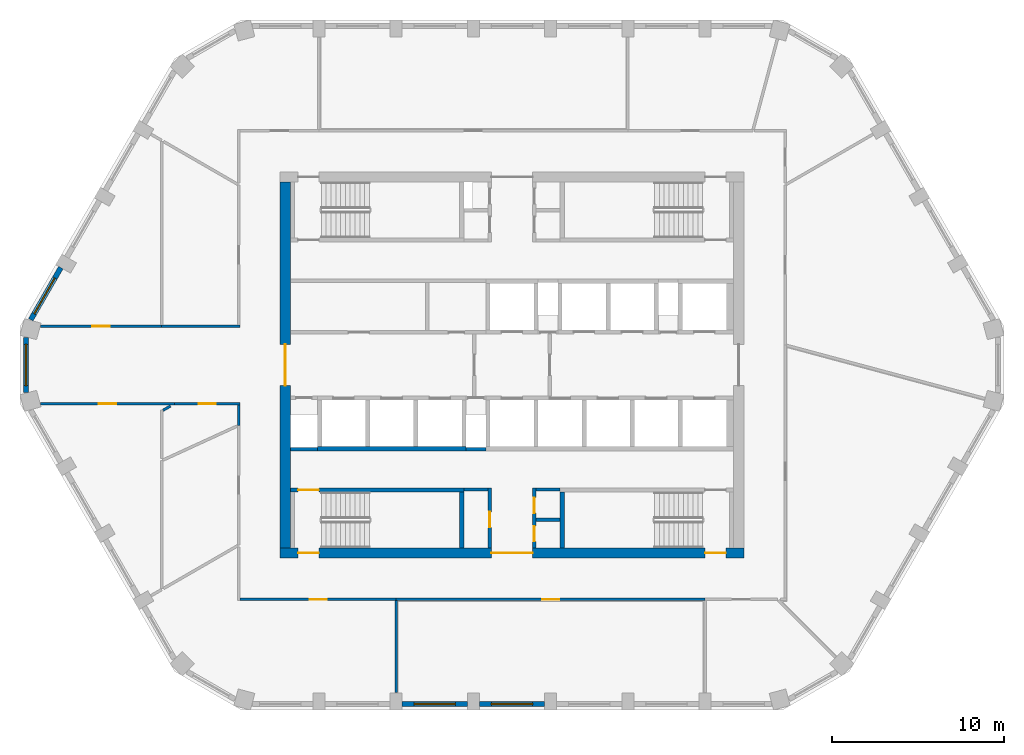
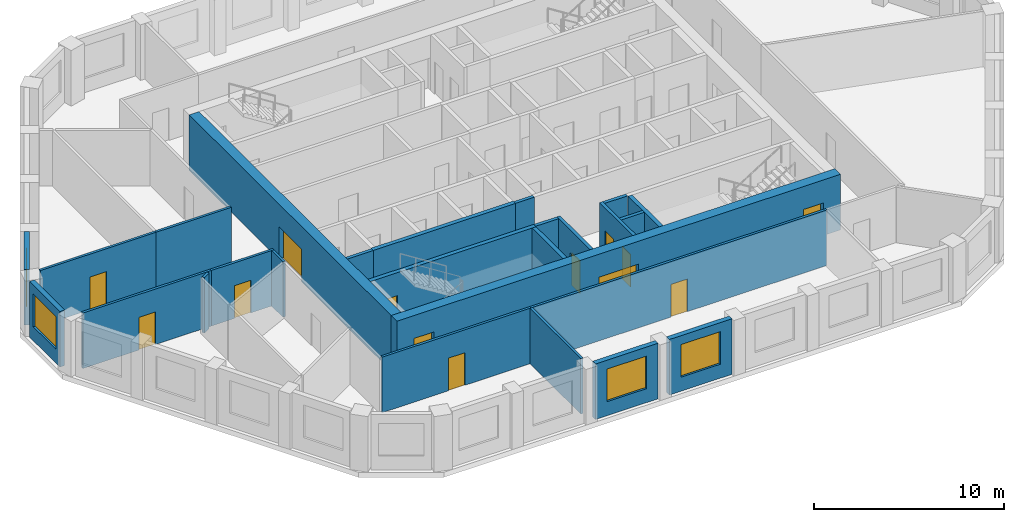
# One storey, part 2 of 10: 26 walls, 13 doors, 4 windows, 17 openings.
"""IFC4 building model written with IfcOpenShell, lengths in metres."""

import ifcopenshell
import ifcopenshell.guid

model = None  # the IFC model being written
_history = None  # IfcOwnerHistory: only IFC2X3 demands one
_inside = {}  # id of a spatial element -> (the spatial element, [elements in it])
_under = {}  # id of a project, library or spatial element -> (it, [spatial elements below it])
_declared = {}  # id of a project -> (the project, [libraries it declares])
_typed = {}  # id of a type object -> (the type object, [elements of that type])
_made_of = {}  # id of a material, layer set ... -> (it, [elements and type objects made of it])


def new_model(schema):
    """Start an empty IFC model of exactly this schema.

    Asked for "IFC4X3", IfcOpenShell would pick the latest addendum, in which some entities
    have other attributes; the version numbers below select the first issue.
    IFC2X3 requires an IfcOwnerHistory on every rooted entity: one is made here for all.
    """
    global model, _history
    if schema == "IFC4X3":
        model = ifcopenshell.file(schema_version=(4, 3, 0, 0))
    else:
        model = ifcopenshell.file(schema=schema)
    _inside.clear()
    _under.clear()
    _declared.clear()
    _typed.clear()
    _made_of.clear()
    _history = None
    if model.schema == "IFC2X3":
        org = make("IfcOrganization", Name="unknown")
        user = make(
            "IfcPersonAndOrganization",
            ThePerson=make("IfcPerson", FamilyName="unknown"),
            TheOrganization=org,
        )
        app = make(
            "IfcApplication",
            ApplicationDeveloper=org,
            Version="unknown",
            ApplicationFullName="unknown",
            ApplicationIdentifier="unknown",
        )
        _history = make(
            "IfcOwnerHistory",
            OwningUser=user,
            OwningApplication=app,
            ChangeAction="ADDED",
            CreationDate=0,
        )
    return model


def make(cls, **values):
    """One entity of the class cls with the attributes given. An attribute that is None is left unset."""
    return model.create_entity(
        cls, **{name: value for name, value in values.items() if value is not None}
    )


def rooted(cls, **values):
    """An entity with a GlobalId (a new one), such as an element, a storey or a relation."""
    return make(cls, GlobalId=ifcopenshell.guid.new(), OwnerHistory=_history, **values)


def si_unit(unit_type, name, prefix=None):
    """IfcSIUnit, for example si_unit("LENGTHUNIT", "METRE", prefix="MILLI")."""
    return make("IfcSIUnit", UnitType=unit_type, Prefix=prefix, Name=name)


def assignment(units):
    """IfcUnitAssignment: the units of a project."""
    return None if units is None else make("IfcUnitAssignment", Units=units)


def point(xyz):
    """IfcCartesianPoint."""
    return None if xyz is None else make("IfcCartesianPoint", Coordinates=xyz)


def direction(xyz):
    """IfcDirection."""
    return None if xyz is None else make("IfcDirection", DirectionRatios=xyz)


def frame(location, z_axis=None, x_axis=None):
    """IfcAxis2Placement3D, a coordinate frame: its origin and axes. An axis left out is left unset."""
    return make(
        "IfcAxis2Placement3D",
        Location=point(location),
        Axis=direction(z_axis),
        RefDirection=direction(x_axis),
    )


def frame_2d(location, x_axis=None):
    """IfcAxis2Placement2D, a coordinate frame in the plane: its origin and x axis."""
    return make(
        "IfcAxis2Placement2D", Location=point(location), RefDirection=direction(x_axis)
    )


def origin():
    """The frame at (0, 0, 0) with its axes left unset."""
    return frame((0.0, 0.0, 0.0))


def place(relative_to, where):
    """IfcLocalPlacement: puts the frame where relative to a parent placement (None: the world)."""
    return make(
        "IfcLocalPlacement", PlacementRelTo=relative_to, RelativePlacement=where
    )


def context(
    kind, dimensions, precision=None, world=None, true_north=None, identifier=None
):
    """IfcGeometricRepresentationContext, for example the 3D "Model" context."""
    return make(
        "IfcGeometricRepresentationContext",
        ContextIdentifier=identifier,
        ContextType=kind,
        CoordinateSpaceDimension=dimensions,
        Precision=precision,
        WorldCoordinateSystem=world,
        TrueNorth=true_north,
    )


def subcontext(parent, identifier, kind, view, scale=None):
    """IfcGeometricRepresentationSubContext, for example "Body" below "Model"."""
    return make(
        "IfcGeometricRepresentationSubContext",
        ContextIdentifier=identifier,
        ContextType=kind,
        ParentContext=parent,
        TargetScale=scale,
        TargetView=view,
    )


def project(units=None, contexts=None):
    """IfcProject with its units and contexts."""
    return rooted(
        "IfcProject",
        Name="project",
        RepresentationContexts=contexts,
        UnitsInContext=assignment(units),
    )


def spatial(cls, under=None, at=None, **own):
    """A site, building, storey or space (cls), placed at a placement, below another one or the project."""
    s = rooted(cls, ObjectPlacement=at, **own)
    if under is not None:
        _under.setdefault(under.id(), (under, []))[1].append(s)
    return s


def polyline(points):
    """IfcPolyline through the points."""
    return make("IfcPolyline", Points=[point(p) for p in points])


def profile(cls, at=None, kind="AREA", **sizes):
    """A parametric profile (cls). Its sizes go by their IFC names, for example OverallWidth=200.0."""
    return make(cls, ProfileType=kind, Position=at, **sizes)


def rectangle(**sizes):
    """IfcRectangleProfileDef."""
    return profile("IfcRectangleProfileDef", **sizes)


def outline(outer, holes=None, kind="AREA"):
    """IfcArbitraryClosedProfileDef: a profile drawn as a closed curve; with holes, ...WithVoids."""
    if holes is None:
        return make("IfcArbitraryClosedProfileDef", ProfileType=kind, OuterCurve=outer)
    return make(
        "IfcArbitraryProfileDefWithVoids",
        ProfileType=kind,
        OuterCurve=outer,
        InnerCurves=holes,
    )


def extrude(swept, where, along, depth):
    """IfcExtrudedAreaSolid: the profile swept, set in the frame where, extruded along a direction by depth."""
    return make(
        "IfcExtrudedAreaSolid",
        SweptArea=swept,
        Position=where,
        ExtrudedDirection=direction(along),
        Depth=depth,
    )


def shape(context_of_items, identifier, shape_type, items):
    """IfcShapeRepresentation: the items that make up one representation, for example the "Body"."""
    return make(
        "IfcShapeRepresentation",
        ContextOfItems=context_of_items,
        RepresentationIdentifier=identifier,
        RepresentationType=shape_type,
        Items=items,
    )


def material(Name=None, Category=None):
    """IfcMaterial."""
    return make("IfcMaterial", Name=Name, Category=Category)


def layer(
    of_material, thickness, ventilated=None, Name=None, Category=None, Priority=None
):
    """IfcMaterialLayer: one layer of a wall or slab, of a material (None: an air gap)."""
    return make(
        "IfcMaterialLayer",
        Material=of_material,
        LayerThickness=thickness,
        IsVentilated=ventilated,
        Name=Name,
        Category=Category,
        Priority=Priority,
    )


def layer_set(layers, Name=None):
    """IfcMaterialLayerSet."""
    return make("IfcMaterialLayerSet", MaterialLayers=layers, LayerSetName=Name)


def made_of(thing, what):
    """Note that an element or type object is made of a material, layer set ...; save() writes the relation."""
    if what is not None:
        _made_of.setdefault(what.id(), (what, []))[1].append(thing)
    return thing


def type_object(cls, material=None, **own):
    """A type object (cls), such as IfcWallType, which elements share."""
    return made_of(rooted(cls, **own), material)


def element(
    cls,
    number,
    at=None,
    inside=None,
    cuts=None,
    type_object=None,
    material=None,
    context=None,
    identifier="Body",
    shape_type=None,
    held_by="IfcProductDefinitionShape",
    body=None,
    shapes=None,
    **own,
):
    """One element of the class cls, such as IfcWall. Its Tag is "e" and its number.

    at: its placement. inside: the storey or other place that contains it. cuts: it is an
    opening in that element (IfcRelVoidsElement). A single representation is given by context,
    identifier, shape_type and body (its items); several are given by shapes. held_by: the class
    of the entity that holds the representations. save() writes the other relations.
    """
    e = rooted(cls, Tag="e%d" % number, ObjectPlacement=at, **own)
    if body is not None:
        shapes = [shape(context, identifier, shape_type, body)]
    if shapes is not None:
        e.Representation = make(held_by, Representations=shapes)
    if inside is not None:
        _inside.setdefault(inside.id(), (inside, []))[1].append(e)
    if cuts is not None:
        rooted(
            "IfcRelVoidsElement", RelatingBuildingElement=cuts, RelatedOpeningElement=e
        )
    if type_object is not None:
        _typed.setdefault(type_object.id(), (type_object, []))[1].append(e)
    return made_of(e, material)


def fill(opening, filler):
    """IfcRelFillsElement: the door or window that sits in an opening."""
    return rooted(
        "IfcRelFillsElement",
        RelatingOpeningElement=opening,
        RelatedBuildingElement=filler,
    )


def aggregate(whole, parts):
    """IfcRelAggregates: a whole, such as a stair, and the parts it consists of."""
    return rooted("IfcRelAggregates", RelatingObject=whole, RelatedObjects=parts)


def save(model, path):
    """Write the relations noted so far, then the file.

    IfcRelAggregates (storeys below a building ...), IfcRelContainedInSpatialStructure (elements
    in a storey), IfcRelDefinesByType, IfcRelAssociatesMaterial and IfcRelDeclares: one each for
    every whole, place, type object, material and project.
    """
    for whole, parts in _under.values():
        aggregate(whole, parts)
    for where, things in _inside.values():
        rooted(
            "IfcRelContainedInSpatialStructure",
            RelatedElements=things,
            RelatingStructure=where,
        )
    for kind, things in _typed.values():
        rooted("IfcRelDefinesByType", RelatedObjects=things, RelatingType=kind)
    for what, things in _made_of.values():
        rooted("IfcRelAssociatesMaterial", RelatedObjects=things, RelatingMaterial=what)
    for by, libraries in _declared.values():
        rooted("IfcRelDeclares", RelatingContext=by, RelatedDefinitions=libraries)
    model.write(path)


model = new_model("IFC4")

# Units and contexts
model_context = context("Model", 3, precision=1e-05, world=origin(), true_north=direction((0.0, 1.0)))
body_context = subcontext(model_context, "Body", "Model", "MODEL_VIEW")
ifc_project = project(units=[si_unit("LENGTHUNIT", "METRE"), si_unit("AREAUNIT", "SQUARE_METRE"), si_unit("VOLUMEUNIT", "CUBIC_METRE"), si_unit("PLANEANGLEUNIT", "RADIAN"), si_unit("MASSUNIT", "GRAM", prefix="KILO")], contexts=[model_context])

# Site, building, storey
site_placement = place(None, origin())
site = spatial("IfcSite", under=ifc_project, at=site_placement, CompositionType="ELEMENT")
building_placement = place(site_placement, origin())
building = spatial("IfcBuilding", under=site, at=building_placement, Name="Dhurran Vertical Campus", CompositionType="ELEMENT")
storey_placement = place(building_placement, frame((0.0, 0.0, 239.10009765625)))
storey = spatial("IfcBuildingStorey", under=building, at=storey_placement, Name="L59", CompositionType="ELEMENT", Elevation=239.10009765625)

# Wall, opening, window
ifc_material_1 = material(Name="Precast concrete C50/60", Category="concrete")
ifc_layer_1 = layer(ifc_material_1, 0.300048828125)
ifc_layer_set_1 = layer_set([ifc_layer_1], Name="Precast concrete C50/60")
wall_type_1 = type_object("IfcWallType", Name="Precast spandrel wall 300", PredefinedType="SOLIDWALL", material=ifc_layer_set_1)
wall_1_placement = place(storey_placement, frame((-6.3994140625, -19.738525390625, 0.0), z_axis=(0.0, 0.0, 1.0), x_axis=(1.0, 0.0, 0.0)))
wall_1 = element("IfcWall", 1, at=wall_1_placement, inside=storey, type_object=wall_type_1, Name="EW1 L59.02", PredefinedType="SOLIDWALL", context=body_context, shape_type="SweptSolid", body=[
    extrude(rectangle(XDim=3.798828125, YDim=0.300048828125, at=frame_2d((1.8994140625, 0.0))), origin(), (0.0, 0.0, 1.0), 3.574951171875),
])
opening_1_placement = place(wall_1_placement, frame((0.699462890625, 0.0, 0.89990234375)))
opening_1 = element("IfcOpeningElement", 2, at=opening_1_placement, cuts=wall_1, Name="Opening WT1", PredefinedType="OPENING", context=body_context, shape_type="SweptSolid", body=[
    extrude(rectangle(XDim=2.39990234375, YDim=2.10009765625, at=frame_2d((1.199951171875, 1.050048828125))), frame((0.0, 0.159912109375, 0.0), z_axis=(0.0, -1.0, 0.0), x_axis=(1.0, 0.0, 0.0)), (0.0, 0.0, 1.0), 0.320068359375),
])
ifc_material_2 = material(Name="Aluminium frame with solar-control glass", Category="aluminium")
window_type = type_object("IfcWindowType", Name="Punched window 2400 x 2100", PartitioningType="SINGLE_PANEL", PredefinedType="WINDOW", material=ifc_material_2)
window_1_placement = place(opening_1_placement, origin())
window_1 = element("IfcWindow", 3, at=window_1_placement, inside=storey, type_object=window_type, Name="WT1 L59.02", OverallHeight=2.10009765625, OverallWidth=2.39990234375, PartitioningType="SINGLE_PANEL", PredefinedType="WINDOW", context=body_context, shape_type="SweptSolid", body=[
    extrude(rectangle(XDim=2.39990234375, YDim=2.10009765625, at=frame_2d((1.199951171875, 1.050048828125))), frame((0.0, 0.030029296875, 0.0), z_axis=(0.0, -1.0, 0.0), x_axis=(1.0, 0.0, 0.0)), (0.0, 0.0, 1.0), 0.06005859375),
])
fill(opening_1, window_1)

wall_2_placement = place(storey_placement, frame((-1.8994140625, -19.738525390625, 0.0), z_axis=(0.0, 0.0, 1.0), x_axis=(1.0, 0.0, 0.0)))
wall_2 = element("IfcWall", 4, at=wall_2_placement, inside=storey, type_object=wall_type_1, Name="EW1 L59.03", PredefinedType="SOLIDWALL", context=body_context, shape_type="SweptSolid", body=[
    extrude(rectangle(XDim=3.798828125, YDim=0.300048828125, at=frame_2d((1.8994140625, 0.0))), origin(), (0.0, 0.0, 1.0), 3.574951171875),
])
opening_2_placement = place(wall_2_placement, frame((0.699462890625, 0.0, 0.89990234375)))
opening_2 = element("IfcOpeningElement", 5, at=opening_2_placement, cuts=wall_2, Name="Opening WT1", PredefinedType="OPENING", context=body_context, shape_type="SweptSolid", body=[
    extrude(rectangle(XDim=2.39990234375, YDim=2.10009765625, at=frame_2d((1.199951171875, 1.050048828125))), frame((0.0, 0.159912109375, 0.0), z_axis=(0.0, -1.0, 0.0), x_axis=(1.0, 0.0, 0.0)), (0.0, 0.0, 1.0), 0.320068359375),
])
window_2_placement = place(opening_2_placement, origin())
window_2 = element("IfcWindow", 6, at=window_2_placement, inside=storey, type_object=window_type, Name="WT1 L59.03", OverallHeight=2.10009765625, OverallWidth=2.39990234375, PartitioningType="SINGLE_PANEL", PredefinedType="WINDOW", context=body_context, shape_type="SweptSolid", body=[
    extrude(rectangle(XDim=2.39990234375, YDim=2.10009765625, at=frame_2d((1.199951171875, 1.050048828125))), frame((0.0, 0.030029296875, 0.0), z_axis=(0.0, -1.0, 0.0), x_axis=(1.0, 0.0, 0.0)), (0.0, 0.0, 1.0), 0.06005859375),
])
fill(opening_2, window_2)

wall_3_placement = place(storey_placement, frame((-26.269287109375, 5.668701171875, 0.0), z_axis=(0.0, 0.0, 1.0), x_axis=(-0.499990325971, -0.866030989016, 0.0)))
wall_3 = element("IfcWall", 7, at=wall_3_placement, inside=storey, type_object=wall_type_1, Name="EW1 L59.29", PredefinedType="SOLIDWALL", context=body_context, shape_type="SweptSolid", body=[
    extrude(rectangle(XDim=3.49755859375, YDim=0.300048828125, at=frame_2d((1.748779296875, 0.0))), origin(), (0.0, 0.0, 1.0), 3.574951171875),
])
opening_3_placement = place(wall_3_placement, frame((0.699462890625, 0.0, 0.89990234375)))
opening_3 = element("IfcOpeningElement", 8, at=opening_3_placement, cuts=wall_3, Name="Opening WT1", PredefinedType="OPENING", context=body_context, shape_type="SweptSolid", body=[
    extrude(rectangle(XDim=2.39990234375, YDim=2.10009765625, at=frame_2d((1.199951171875, 1.050048828125))), frame((0.0, 0.159912109375, 0.0), z_axis=(0.0, -1.0, 0.0), x_axis=(1.0, 0.0, 0.0)), (0.0, 0.0, 1.0), 0.320068359375),
])
window_3_placement = place(opening_3_placement, origin())
window_3 = element("IfcWindow", 9, at=window_3_placement, inside=storey, type_object=window_type, Name="WT1 L59.29", OverallHeight=2.10009765625, OverallWidth=2.39990234375, PartitioningType="SINGLE_PANEL", PredefinedType="WINDOW", context=body_context, shape_type="SweptSolid", body=[
    extrude(rectangle(XDim=2.39990234375, YDim=2.10009765625, at=frame_2d((1.199951171875, 1.050048828125))), frame((0.0, 0.030029296875, 0.0), z_axis=(0.0, -1.0, 0.0), x_axis=(1.0, 0.0, 0.0)), (0.0, 0.0, 1.0), 0.06005859375),
])
fill(opening_3, window_3)

wall_4_placement = place(storey_placement, frame((-28.297119140625, 1.59814453125, 0.0), z_axis=(0.0, 0.0, 1.0), x_axis=(0.0, -1.0, 0.0)))
wall_4 = element("IfcWall", 10, at=wall_4_placement, inside=storey, type_object=wall_type_1, Name="EW1 L59.30", PredefinedType="SOLIDWALL", context=body_context, shape_type="SweptSolid", body=[
    extrude(rectangle(XDim=3.1962890625, YDim=0.300048828125, at=frame_2d((1.59814453125, 0.0))), origin(), (0.0, 0.0, 1.0), 3.574951171875),
])
opening_4_placement = place(wall_4_placement, frame((0.398193359375, 0.0, 0.89990234375)))
opening_4 = element("IfcOpeningElement", 11, at=opening_4_placement, cuts=wall_4, Name="Opening WT1", PredefinedType="OPENING", context=body_context, shape_type="SweptSolid", body=[
    extrude(rectangle(XDim=2.39990234375, YDim=2.10009765625, at=frame_2d((1.199951171875, 1.050048828125))), frame((0.0, 0.159912109375, 0.0), z_axis=(0.0, -1.0, 0.0), x_axis=(1.0, 0.0, 0.0)), (0.0, 0.0, 1.0), 0.320068359375),
])
window_4_placement = place(opening_4_placement, origin())
window_4 = element("IfcWindow", 12, at=window_4_placement, inside=storey, type_object=window_type, Name="WT1 L59.30", OverallHeight=2.10009765625, OverallWidth=2.39990234375, PartitioningType="SINGLE_PANEL", PredefinedType="WINDOW", context=body_context, shape_type="SweptSolid", body=[
    extrude(rectangle(XDim=2.39990234375, YDim=2.10009765625, at=frame_2d((1.199951171875, 1.050048828125))), frame((0.0, 0.030029296875, 0.0), z_axis=(0.0, -1.0, 0.0), x_axis=(1.0, 0.0, 0.0)), (0.0, 0.0, 1.0), 0.06005859375),
])
fill(opening_4, window_4)

# Wall, openings, doors
ifc_material_3 = material(Name="Concrete C50/60", Category="concrete")
ifc_layer_2 = layer(ifc_material_3, 0.60009765625)
ifc_layer_set_2 = layer_set([ifc_layer_2], Name="Concrete C50/60")
wall_type_2 = type_object("IfcWallType", Name="co-CORE-WALL-C2-600", PredefinedType="SHEAR", material=ifc_layer_set_2)
wall_5_placement = place(storey_placement, frame((-13.5, -10.949951171875, 0.0), z_axis=(0.0, 0.0, 1.0), x_axis=(1.0, 0.0, 0.0)))
wall_5 = element("IfcWall", 13, at=wall_5_placement, inside=storey, type_object=wall_type_2, Name="Core wall S L59", PredefinedType="SHEAR", context=body_context, shape_type="SweptSolid", body=[
    extrude(rectangle(XDim=27.0, YDim=0.60009765625, at=frame_2d((13.5, 0.0))), origin(), (0.0, 0.0, 1.0), 3.574951171875),
])
opening_5_placement = place(wall_5_placement, frame((12.300048828125, 0.0, 0.0)))
opening_5 = element("IfcOpeningElement", 14, at=opening_5_placement, cuts=wall_5, Name="Opening CV2", PredefinedType="OPENING", context=body_context, shape_type="SweptSolid", body=[
    extrude(rectangle(XDim=2.39990234375, YDim=2.10009765625, at=frame_2d((1.199951171875, 1.050048828125))), frame((0.0, 0.31005859375, 0.0), z_axis=(0.0, -1.0, 0.0), x_axis=(1.0, 0.0, 0.0)), (0.0, 0.0, 1.0), 0.6201171875),
])
opening_6_placement = place(wall_5_placement, frame((1.050048828125, 0.0, 0.0)))
opening_6 = element("IfcOpeningElement", 15, at=opening_6_placement, cuts=wall_5, Name="Opening XD3", PredefinedType="OPENING", context=body_context, shape_type="SweptSolid", body=[
    extrude(rectangle(XDim=1.199951171875, YDim=2.10009765625, at=frame_2d((0.60009765625, 1.050048828125))), frame((0.0, 0.31005859375, 0.0), z_axis=(0.0, -1.0, 0.0), x_axis=(1.0, 0.0, 0.0)), (0.0, 0.0, 1.0), 0.6201171875),
])
opening_7_placement = place(wall_5_placement, frame((24.75, 0.0, 0.0)))
opening_7 = element("IfcOpeningElement", 16, at=opening_7_placement, cuts=wall_5, Name="Opening XD4", PredefinedType="OPENING", context=body_context, shape_type="SweptSolid", body=[
    extrude(rectangle(XDim=1.199951171875, YDim=2.10009765625, at=frame_2d((0.60009765625, 1.050048828125))), frame((0.0, 0.31005859375, 0.0), z_axis=(0.0, -1.0, 0.0), x_axis=(1.0, 0.0, 0.0)), (0.0, 0.0, 1.0), 0.6201171875),
])
ifc_material_4 = material(Name="Fire-rated glazed door set")
door_type_1 = type_object("IfcDoorType", Name="co-D-LOBBY 2400x2100", OperationType="DOUBLE_DOOR_DOUBLE_SWING", PredefinedType="DOOR", material=ifc_material_4)
door_1_placement = place(opening_5_placement, origin())
door_1 = element("IfcDoor", 17, at=door_1_placement, inside=storey, type_object=door_type_1, Name="Core vestibule door S L59", OperationType="DOUBLE_DOOR_DOUBLE_SWING", OverallHeight=2.10009765625, OverallWidth=2.39990234375, PredefinedType="DOOR", context=body_context, shape_type="SweptSolid", body=[
    extrude(rectangle(XDim=2.39990234375, YDim=2.10009765625, at=frame_2d((1.199951171875, 1.050048828125))), frame((0.0, 0.02490234375, 0.0), z_axis=(0.0, -1.0, 0.0), x_axis=(1.0, 0.0, 0.0)), (0.0, 0.0, 1.0), 0.050048828125),
])
fill(opening_5, door_1)
ifc_material_5 = material(Name="Fire-rated steel door set", Category="steel")
door_type_2 = type_object("IfcDoorType", Name="co-D-STAIR-EXIT 1200x2100", OperationType="SINGLE_SWING_RIGHT", PredefinedType="DOOR", material=ifc_material_5)
door_2_placement = place(opening_6_placement, origin())
door_2 = element("IfcDoor", 18, at=door_2_placement, inside=storey, type_object=door_type_2, Name="Stair ST3 exit door L59", OperationType="SINGLE_SWING_RIGHT", OverallHeight=2.10009765625, OverallWidth=1.199951171875, PredefinedType="DOOR", context=body_context, shape_type="SweptSolid", body=[
    extrude(rectangle(XDim=1.199951171875, YDim=2.10009765625, at=frame_2d((0.60009765625, 1.050048828125))), frame((0.0, 0.02490234375, 0.0), z_axis=(0.0, -1.0, 0.0), x_axis=(1.0, 0.0, 0.0)), (0.0, 0.0, 1.0), 0.050048828125),
])
fill(opening_6, door_2)
door_3_placement = place(opening_7_placement, origin())
door_3 = element("IfcDoor", 19, at=door_3_placement, inside=storey, type_object=door_type_2, Name="Stair ST4 exit door L59", OperationType="SINGLE_SWING_RIGHT", OverallHeight=2.10009765625, OverallWidth=1.199951171875, PredefinedType="DOOR", context=body_context, shape_type="SweptSolid", body=[
    extrude(rectangle(XDim=1.199951171875, YDim=2.10009765625, at=frame_2d((0.60009765625, 1.050048828125))), frame((0.0, 0.02490234375, 0.0), z_axis=(0.0, -1.0, 0.0), x_axis=(1.0, 0.0, 0.0)), (0.0, 0.0, 1.0), 0.050048828125),
])
fill(opening_7, door_3)

# Wall, opening, door
wall_6_placement = place(storey_placement, frame((-13.199951171875, -10.64990234375, 0.0), z_axis=(0.0, 0.0, 1.0), x_axis=(0.0, 1.0, 0.0)))
wall_6 = element("IfcWall", 20, at=wall_6_placement, inside=storey, type_object=wall_type_2, Name="Core wall W L59", PredefinedType="SHEAR", context=body_context, shape_type="SweptSolid", body=[
    extrude(rectangle(XDim=21.2998046875, YDim=0.60009765625, at=frame_2d((10.64990234375, 0.0))), origin(), (0.0, 0.0, 1.0), 3.574951171875),
])
opening_8_placement = place(wall_6_placement, frame((9.449951171875, 0.0, 0.0)))
opening_8 = element("IfcOpeningElement", 21, at=opening_8_placement, cuts=wall_6, Name="Opening CL1", PredefinedType="OPENING", context=body_context, shape_type="SweptSolid", body=[
    extrude(rectangle(XDim=2.39990234375, YDim=2.10009765625, at=frame_2d((1.199951171875, 1.050048828125))), frame((0.0, 0.31005859375, 0.0), z_axis=(0.0, -1.0, 0.0), x_axis=(1.0, 0.0, 0.0)), (0.0, 0.0, 1.0), 0.6201171875),
])
door_4_placement = place(opening_8_placement, origin())
door_4 = element("IfcDoor", 22, at=door_4_placement, inside=storey, type_object=door_type_1, Name="Lift lobby door W L59", OperationType="DOUBLE_DOOR_DOUBLE_SWING", OverallHeight=2.10009765625, OverallWidth=2.39990234375, PredefinedType="DOOR", context=body_context, shape_type="SweptSolid", body=[
    extrude(rectangle(XDim=2.39990234375, YDim=2.10009765625, at=frame_2d((1.199951171875, 1.050048828125))), frame((0.0, 0.02490234375, 0.0), z_axis=(0.0, -1.0, 0.0), x_axis=(1.0, 0.0, 0.0)), (0.0, 0.0, 1.0), 0.050048828125),
])
fill(opening_8, door_4)

# Walls
ifc_material_6 = material(Name="Fire-rated masonry blockwork", Category="masonry")
ifc_layer_3 = layer(ifc_material_6, 0.199951171875)
ifc_layer_set_3 = layer_set([ifc_layer_3], Name="Fire-rated masonry blockwork")
wall_type_3 = type_object("IfcWallType", Name="co-FIRE-PARTITION-200", PredefinedType="PARTITIONING", material=ifc_layer_set_3)
for number, where, z_axis, x_axis, name in (
    (23, (-2.800048828125, -7.25, 0.0), (0.0, 0.0, 1.0), (1.0, 0.0, 0.0), "Core partition sl-SW-S L59"),
    (24, (1.39990234375, -7.25, 0.0), (0.0, 0.0, 1.0), (1.0, 0.0, 0.0), "Core partition sl-SE-S L59"),
    (25, (1.39990234375, -9.0, 0.0), (0.0, 0.0, 1.0), (1.0, 0.0, 0.0), "Core partition sl-SE-cut0 L59"),
):
    element("IfcWall", number, at=place(storey_placement, frame(where, z_axis=z_axis, x_axis=x_axis)), inside=storey, type_object=wall_type_3, Name=name, PredefinedType="PARTITIONING", context=body_context, shape_type="SweptSolid", body=[
        extrude(rectangle(XDim=1.400146484375, YDim=0.199951171875, at=frame_2d((0.7001953125, 0.0))), origin(), (0.0, 0.0, 1.0), 3.574951171875),
    ])

# Wall, opening, door
wall_7_placement = place(storey_placement, frame((-1.300048828125, -10.64990234375, 0.0), z_axis=(0.0, 0.0, 1.0), x_axis=(0.0, 1.0, 0.0)))
wall_7 = element("IfcWall", 26, at=wall_7_placement, inside=storey, type_object=wall_type_3, Name="Core partition vest-SW L59", PredefinedType="PARTITIONING", context=body_context, shape_type="SweptSolid", body=[
    extrude(rectangle(XDim=3.5, YDim=0.199951171875, at=frame_2d((1.75, 0.0))), origin(), (0.0, 0.0, 1.0), 3.574951171875),
])
opening_9_placement = place(wall_7_placement, frame((1.199951171875, 0.0, 0.0)))
opening_9 = element("IfcOpeningElement", 27, at=opening_9_placement, cuts=wall_7, Name="Opening T17-C1", PredefinedType="OPENING", context=body_context, shape_type="SweptSolid", body=[
    extrude(rectangle(XDim=0.89990234375, YDim=2.10009765625, at=frame_2d((0.449951171875, 1.050048828125))), frame((0.0, 0.10986328125, 0.0), z_axis=(0.0, -1.0, 0.0), x_axis=(1.0, 0.0, 0.0)), (0.0, 0.0, 1.0), 0.219970703125),
])
ifc_material_7 = material(Name="Fire-rated timber door set", Category="wood")
door_type_3 = type_object("IfcDoorType", Name="co-D-ROOM 900x2100", OperationType="SINGLE_SWING_LEFT", PredefinedType="DOOR", material=ifc_material_7)
door_5_placement = place(opening_9_placement, origin())
door_5 = element("IfcDoor", 28, at=door_5_placement, inside=storey, type_object=door_type_3, Name="Fire equipment store door L59", OperationType="SINGLE_SWING_LEFT", OverallHeight=2.10009765625, OverallWidth=0.89990234375, PredefinedType="DOOR", context=body_context, shape_type="SweptSolid", body=[
    extrude(rectangle(XDim=0.89990234375, YDim=2.10009765625, at=frame_2d((0.449951171875, 1.050048828125))), frame((0.0, 0.02490234375, 0.0), z_axis=(0.0, -1.0, 0.0), x_axis=(1.0, 0.0, 0.0)), (0.0, 0.0, 1.0), 0.050048828125),
])
fill(opening_9, door_5)

# Wall, openings, doors
wall_8_placement = place(storey_placement, frame((1.300048828125, -10.64990234375, 0.0), z_axis=(0.0, 0.0, 1.0), x_axis=(0.0, 1.0, 0.0)))
wall_8 = element("IfcWall", 29, at=wall_8_placement, inside=storey, type_object=wall_type_3, Name="Core partition vest-SE L59", PredefinedType="PARTITIONING", context=body_context, shape_type="SweptSolid", body=[
    extrude(rectangle(XDim=3.5, YDim=0.199951171875, at=frame_2d((1.75, 0.0))), origin(), (0.0, 0.0, 1.0), 3.574951171875),
])
opening_10_placement = place(wall_8_placement, frame((0.375, 0.0, 0.0)))
opening_10 = element("IfcOpeningElement", 30, at=opening_10_placement, cuts=wall_8, Name="Opening T17-C2", PredefinedType="OPENING", context=body_context, shape_type="SweptSolid", body=[
    extrude(rectangle(XDim=0.89990234375, YDim=2.10009765625, at=frame_2d((0.449951171875, 1.050048828125))), frame((0.0, 0.10986328125, 0.0), z_axis=(0.0, -1.0, 0.0), x_axis=(1.0, 0.0, 0.0)), (0.0, 0.0, 1.0), 0.219970703125),
])
opening_11_placement = place(wall_8_placement, frame((2.02490234375, 0.0, 0.0)))
opening_11 = element("IfcOpeningElement", 31, at=opening_11_placement, cuts=wall_8, Name="Opening T17-C3", PredefinedType="OPENING", context=body_context, shape_type="SweptSolid", body=[
    extrude(rectangle(XDim=0.89990234375, YDim=2.10009765625, at=frame_2d((0.449951171875, 1.050048828125))), frame((0.0, 0.10986328125, 0.0), z_axis=(0.0, -1.0, 0.0), x_axis=(1.0, 0.0, 0.0)), (0.0, 0.0, 1.0), 0.219970703125),
])
door_6_placement = place(opening_10_placement, origin())
door_6 = element("IfcDoor", 32, at=door_6_placement, inside=storey, type_object=door_type_3, Name="Communications room door L59", OperationType="SINGLE_SWING_LEFT", OverallHeight=2.10009765625, OverallWidth=0.89990234375, PredefinedType="DOOR", context=body_context, shape_type="SweptSolid", body=[
    extrude(rectangle(XDim=0.89990234375, YDim=2.10009765625, at=frame_2d((0.449951171875, 1.050048828125))), frame((0.0, 0.02490234375, 0.0), z_axis=(0.0, -1.0, 0.0), x_axis=(1.0, 0.0, 0.0)), (0.0, 0.0, 1.0), 0.050048828125),
])
fill(opening_10, door_6)
door_7_placement = place(opening_11_placement, origin())
door_7 = element("IfcDoor", 33, at=door_7_placement, inside=storey, type_object=door_type_3, Name="Plant room door L59", OperationType="SINGLE_SWING_LEFT", OverallHeight=2.10009765625, OverallWidth=0.89990234375, PredefinedType="DOOR", context=body_context, shape_type="SweptSolid", body=[
    extrude(rectangle(XDim=0.89990234375, YDim=2.10009765625, at=frame_2d((0.449951171875, 1.050048828125))), frame((0.0, 0.02490234375, 0.0), z_axis=(0.0, -1.0, 0.0), x_axis=(1.0, 0.0, 0.0)), (0.0, 0.0, 1.0), 0.050048828125),
])
fill(opening_11, door_7)

# Walls
wall_9_placement = place(storey_placement, frame((-12.89990234375, -4.89990234375, 0.0), z_axis=(0.0, 0.0, 1.0), x_axis=(1.0, 0.0, 0.0)))
element("IfcWall", 34, at=wall_9_placement, inside=storey, type_object=wall_type_3, Name="Core partition fr-S0-b L59", PredefinedType="PARTITIONING", context=body_context, shape_type="SweptSolid", body=[
    extrude(rectangle(XDim=1.574951171875, YDim=0.199951171875, at=frame_2d((0.78759765625, 0.0))), origin(), (0.0, 0.0, 1.0), 3.574951171875),
])
wall_10_placement = place(storey_placement, frame((-2.675048828125, -4.89990234375, 0.0), z_axis=(0.0, 0.0, 1.0), x_axis=(1.0, 0.0, 0.0)))
element("IfcWall", 35, at=wall_10_placement, inside=storey, type_object=wall_type_3, Name="Core partition fr-S1-b L59", PredefinedType="PARTITIONING", context=body_context, shape_type="SweptSolid", body=[
    extrude(rectangle(XDim=1.150146484375, YDim=0.199951171875, at=frame_2d((0.5751953125, 0.0))), origin(), (0.0, 0.0, 1.0), 3.574951171875),
])
ifc_material_8 = material(Name="Concrete C50/60", Category="concrete")
ifc_layer_4 = layer(ifc_material_8, 0.25)
ifc_layer_set_4 = layer_set([ifc_layer_4], Name="Concrete C50/60")
wall_type_4 = type_object("IfcWallType", Name="co-SHAFT-MASS-250", PredefinedType="SHEAR", material=ifc_layer_set_4)
wall_11_placement = place(storey_placement, origin())
element("IfcWall", 36, at=wall_11_placement, inside=storey, type_object=wall_type_4, Name="Lift shaft wall S L59 1", PredefinedType="SHEAR", context=body_context, shape_type="SweptSolid", body=[
    extrude(outline(polyline([(-11.324951171875, -5.0), (-2.675048828125, -5.0), (-2.675048828125, -4.75), (-11.324951171875, -4.75), (-11.324951171875, -5.0)])), origin(), (0.0, 0.0, 1.0), 3.574951171875),
])

# Wall, opening, door
ifc_material_9 = material(Name="Concrete C40/50", Category="concrete")
ifc_layer_5 = layer(ifc_material_9, 0.25)
ifc_layer_set_5 = layer_set([ifc_layer_5], Name="Concrete C40/50")
wall_type_5 = type_object("IfcWallType", Name="co-STAIR-WALL-250", PredefinedType="SHEAR", material=ifc_layer_set_5)
wall_12_placement = place(storey_placement, frame((-12.89990234375, -7.27490234375, 0.0), z_axis=(0.0, 0.0, 1.0), x_axis=(1.0, 0.0, 0.0)))
wall_12 = element("IfcWall", 37, at=wall_12_placement, inside=storey, type_object=wall_type_5, Name="Stair ST3 enclosure wall L59", PredefinedType="SHEAR", context=body_context, shape_type="SweptSolid", body=[
    extrude(rectangle(XDim=10.099853515625, YDim=0.25, at=frame_2d((5.0498046875, 0.0))), origin(), (0.0, 0.0, 1.0), 3.574951171875),
])
opening_12_placement = place(wall_12_placement, frame((0.449951171875, 0.0, 0.0)))
opening_12 = element("IfcOpeningElement", 38, at=opening_12_placement, cuts=wall_12, Name="Opening SD3", PredefinedType="OPENING", context=body_context, shape_type="SweptSolid", body=[
    extrude(rectangle(XDim=1.199951171875, YDim=2.10009765625, at=frame_2d((0.60009765625, 1.050048828125))), frame((0.0, 0.135009765625, 0.0), z_axis=(0.0, -1.0, 0.0), x_axis=(1.0, 0.0, 0.0)), (0.0, 0.0, 1.0), 0.27001953125),
])
ifc_material_10 = material(Name="Fire-rated steel door set", Category="steel")
door_type_4 = type_object("IfcDoorType", Name="co-D-STAIR 1200x2100", OperationType="SINGLE_SWING_LEFT", PredefinedType="DOOR", material=ifc_material_10)
door_8_placement = place(opening_12_placement, origin())
door_8 = element("IfcDoor", 39, at=door_8_placement, inside=storey, type_object=door_type_4, Name="Stair ST3 door L59", OperationType="SINGLE_SWING_LEFT", OverallHeight=2.10009765625, OverallWidth=1.199951171875, PredefinedType="DOOR", context=body_context, shape_type="SweptSolid", body=[
    extrude(rectangle(XDim=1.199951171875, YDim=2.10009765625, at=frame_2d((0.60009765625, 1.050048828125))), frame((0.0, 0.02490234375, 0.0), z_axis=(0.0, -1.0, 0.0), x_axis=(1.0, 0.0, 0.0)), (0.0, 0.0, 1.0), 0.050048828125),
])
fill(opening_12, door_8)

# Walls
for number, where, z_axis, x_axis, name in (
    (40, (-2.925048828125, -10.64990234375, 0.0), (0.0, 0.0, 1.0), (0.0, 1.0, 0.0), "Stair ST3 enclosure wall L59"),
    (41, (2.925048828125, -10.64990234375, 0.0), (0.0, 0.0, 1.0), (0.0, 1.0, 0.0), "Stair ST4 enclosure wall L59"),
):
    element("IfcWall", number, at=place(storey_placement, frame(where, z_axis=z_axis, x_axis=x_axis)), inside=storey, type_object=wall_type_5, Name=name, PredefinedType="SHEAR", context=body_context, shape_type="SweptSolid", body=[
        extrude(rectangle(XDim=3.25, YDim=0.25, at=frame_2d((1.625, 0.0))), origin(), (0.0, 0.0, 1.0), 3.574951171875),
    ])

# Wall, opening, door
ifc_material_11 = material(Name="Gypsum board corridor wall on steel studs", Category="steel")
ifc_layer_6 = layer(ifc_material_11, 0.14990234375)
ifc_layer_set_6 = layer_set([ifc_layer_6], Name="Gypsum board corridor wall on steel studs")
wall_type_6 = type_object("IfcWallType", Name="fl-CW-150 corridor wall", PredefinedType="PARTITIONING", material=ifc_layer_set_6)
wall_13_placement = place(storey_placement, frame((-19.64697265625, -2.25, 0.0), z_axis=(0.0, 0.0, 1.0), x_axis=(-1.0, 0.0, 0.0)))
wall_13 = element("IfcWall", 42, at=wall_13_placement, inside=storey, type_object=wall_type_6, Name="Partition 59-01", PredefinedType="PARTITIONING", context=body_context, shape_type="SweptSolid", body=[
    extrude(rectangle(XDim=7.805419921875, YDim=0.14990234375, at=frame_2d((3.90283203125, 0.0))), origin(), (0.0, 0.0, 1.0), 3.574951171875),
])
opening_13_placement = place(wall_13_placement, frame((3.402587890625, 0.0, 0.0)))
opening_13 = element("IfcOpeningElement", 43, at=opening_13_placement, cuts=wall_13, Name="Opening T17.02", PredefinedType="OPENING", context=body_context, shape_type="SweptSolid", body=[
    extrude(rectangle(XDim=1.0, YDim=2.10009765625, at=frame_2d((0.5, 1.050048828125))), frame((0.0, 0.0849609375, 0.0), z_axis=(0.0, -1.0, 0.0), x_axis=(1.0, 0.0, 0.0)), (0.0, 0.0, 1.0), 0.169921875),
])
ifc_material_12 = material(Name="Solid-core timber door set, fire-rated", Category="wood")
door_type_5 = type_object("IfcDoorType", Name="fl-D-1000x2100", OperationType="SINGLE_SWING_LEFT", PredefinedType="DOOR", material=ifc_material_12)
door_9_placement = place(opening_13_placement, origin())
door_9 = element("IfcDoor", 44, at=door_9_placement, inside=storey, type_object=door_type_5, Name="Door 59.02", OperationType="SINGLE_SWING_RIGHT", OverallHeight=2.10009765625, OverallWidth=1.0, PredefinedType="DOOR", context=body_context, shape_type="SweptSolid", body=[
    extrude(rectangle(XDim=1.0, YDim=2.10009765625, at=frame_2d((0.5, 1.050048828125))), frame((0.0, 0.02490234375, 0.0), z_axis=(0.0, -1.0, 0.0), x_axis=(1.0, 0.0, 0.0)), (0.0, 0.0, 1.0), 0.050048828125),
])
fill(opening_13, door_9)

wall_14_placement = place(storey_placement, frame((-27.452392578125, 2.25, 0.0), z_axis=(0.0, 0.0, 1.0), x_axis=(1.0, 0.0, 0.0)))
wall_14 = element("IfcWall", 45, at=wall_14_placement, inside=storey, type_object=wall_type_6, Name="Partition 59-02", PredefinedType="PARTITIONING", context=body_context, shape_type="SweptSolid", body=[
    extrude(rectangle(XDim=7.052490234375, YDim=0.14990234375, at=frame_2d((3.5263671875, 0.0))), origin(), (0.0, 0.0, 1.0), 3.574951171875),
])
opening_14_placement = place(wall_14_placement, frame((3.026123046875, 0.0, 0.0)))
opening_14 = element("IfcOpeningElement", 46, at=opening_14_placement, cuts=wall_14, Name="Opening T17.01", PredefinedType="OPENING", context=body_context, shape_type="SweptSolid", body=[
    extrude(rectangle(XDim=1.0, YDim=2.10009765625, at=frame_2d((0.5, 1.050048828125))), frame((0.0, 0.0849609375, 0.0), z_axis=(0.0, -1.0, 0.0), x_axis=(1.0, 0.0, 0.0)), (0.0, 0.0, 1.0), 0.169921875),
])
door_10_placement = place(opening_14_placement, origin())
door_10 = element("IfcDoor", 47, at=door_10_placement, inside=storey, type_object=door_type_5, Name="Door 59.01", OperationType="SINGLE_SWING_LEFT", OverallHeight=2.10009765625, OverallWidth=1.0, PredefinedType="DOOR", context=body_context, shape_type="SweptSolid", body=[
    extrude(rectangle(XDim=1.0, YDim=2.10009765625, at=frame_2d((0.5, 1.050048828125))), frame((0.0, 0.02490234375, 0.0), z_axis=(0.0, -1.0, 0.0), x_axis=(1.0, 0.0, 0.0)), (0.0, 0.0, 1.0), 0.050048828125),
])
fill(opening_14, door_10)

# Wall
wall_15_placement = place(storey_placement, frame((-20.39990234375, 2.25, 0.0), z_axis=(0.0, 0.0, 1.0), x_axis=(1.0, 0.0, 0.0)))
element("IfcWall", 48, at=wall_15_placement, inside=storey, type_object=wall_type_6, Name="Partition 59-11", PredefinedType="PARTITIONING", context=body_context, shape_type="SweptSolid", body=[
    extrude(rectangle(XDim=4.574951171875, YDim=0.14990234375, at=frame_2d((2.28759765625, 0.0))), origin(), (0.0, 0.0, 1.0), 3.574951171875),
])

# Wall, opening, door
wall_16_placement = place(storey_placement, frame((-15.824951171875, -2.25, 0.0), z_axis=(0.0, 0.0, 1.0), x_axis=(-1.0, 0.0, 0.0)))
wall_16 = element("IfcWall", 49, at=wall_16_placement, inside=storey, type_object=wall_type_6, Name="Partition 59-13", PredefinedType="PARTITIONING", context=body_context, shape_type="SweptSolid", body=[
    extrude(rectangle(XDim=3.822021484375, YDim=0.14990234375, at=frame_2d((1.9111328125, 0.0))), origin(), (0.0, 0.0, 1.0), 3.574951171875),
])
opening_15_placement = place(wall_16_placement, frame((1.410888671875, 0.0, 0.0)))
opening_15 = element("IfcOpeningElement", 50, at=opening_15_placement, cuts=wall_16, Name="Opening T17.03", PredefinedType="OPENING", context=body_context, shape_type="SweptSolid", body=[
    extrude(rectangle(XDim=1.0, YDim=2.10009765625, at=frame_2d((0.5, 1.050048828125))), frame((0.0, 0.0849609375, 0.0), z_axis=(0.0, -1.0, 0.0), x_axis=(1.0, 0.0, 0.0)), (0.0, 0.0, 1.0), 0.169921875),
])
door_11_placement = place(opening_15_placement, origin())
door_11 = element("IfcDoor", 51, at=door_11_placement, inside=storey, type_object=door_type_5, Name="Door 59.03", OperationType="SINGLE_SWING_RIGHT", OverallHeight=2.10009765625, OverallWidth=1.0, PredefinedType="DOOR", context=body_context, shape_type="SweptSolid", body=[
    extrude(rectangle(XDim=1.0, YDim=2.10009765625, at=frame_2d((0.5, 1.050048828125))), frame((0.0, 0.02490234375, 0.0), z_axis=(0.0, -1.0, 0.0), x_axis=(1.0, 0.0, 0.0)), (0.0, 0.0, 1.0), 0.050048828125),
])
fill(opening_15, door_11)

wall_17_placement = place(storey_placement, frame((-15.824951171875, -13.64990234375, 0.0), z_axis=(0.0, 0.0, 1.0), x_axis=(1.0, 0.0, 0.0)))
wall_17 = element("IfcWall", 52, at=wall_17_placement, inside=storey, type_object=wall_type_6, Name="Partition 59-15", PredefinedType="PARTITIONING", context=body_context, shape_type="SweptSolid", body=[
    extrude(rectangle(XDim=9.074951171875, YDim=0.14990234375, at=frame_2d((4.53759765625, 0.0))), origin(), (0.0, 0.0, 1.0), 3.574951171875),
])
opening_16_placement = place(wall_17_placement, frame((4.03759765625, 0.0, 0.0)))
opening_16 = element("IfcOpeningElement", 53, at=opening_16_placement, cuts=wall_17, Name="Opening T17.07", PredefinedType="OPENING", context=body_context, shape_type="SweptSolid", body=[
    extrude(rectangle(XDim=1.0, YDim=2.10009765625, at=frame_2d((0.5, 1.050048828125))), frame((0.0, 0.0849609375, 0.0), z_axis=(0.0, -1.0, 0.0), x_axis=(1.0, 0.0, 0.0)), (0.0, 0.0, 1.0), 0.169921875),
])
door_12_placement = place(opening_16_placement, origin())
door_12 = element("IfcDoor", 54, at=door_12_placement, inside=storey, type_object=door_type_5, Name="Door 59.07", OperationType="SINGLE_SWING_RIGHT", OverallHeight=2.10009765625, OverallWidth=1.0, PredefinedType="DOOR", context=body_context, shape_type="SweptSolid", body=[
    extrude(rectangle(XDim=1.0, YDim=2.10009765625, at=frame_2d((0.5, 1.050048828125))), frame((0.0, 0.02490234375, 0.0), z_axis=(0.0, -1.0, 0.0), x_axis=(1.0, 0.0, 0.0)), (0.0, 0.0, 1.0), 0.050048828125),
])
fill(opening_16, door_12)

# Wall
wall_18_placement = place(storey_placement, frame((-15.89990234375, -2.324951171875, 0.0), z_axis=(0.0, 0.0, 1.0), x_axis=(0.0, -1.0, 0.0)))
element("IfcWall", 55, at=wall_18_placement, inside=storey, type_object=wall_type_6, Name="Partition 59-17", PredefinedType="PARTITIONING", context=body_context, shape_type="SweptSolid", body=[
    extrude(rectangle(XDim=1.18310546875, YDim=0.14990234375, at=frame_2d((0.591552734375, 0.0))), origin(), (0.0, 0.0, 1.0), 3.574951171875),
])

# Wall, opening, door
wall_19_placement = place(storey_placement, frame((-6.75, -13.64990234375, 0.0), z_axis=(0.0, 0.0, 1.0), x_axis=(1.0, 0.0, 0.0)))
wall_19 = element("IfcWall", 56, at=wall_19_placement, inside=storey, type_object=wall_type_6, Name="Partition 59-24", PredefinedType="PARTITIONING", context=body_context, shape_type="SweptSolid", body=[
    extrude(rectangle(XDim=18.0, YDim=0.14990234375, at=frame_2d((9.0, 0.0))), origin(), (0.0, 0.0, 1.0), 3.574951171875),
])
opening_17_placement = place(wall_19_placement, frame((8.5, 0.0, 0.0)))
opening_17 = element("IfcOpeningElement", 57, at=opening_17_placement, cuts=wall_19, Name="Opening T17.09", PredefinedType="OPENING", context=body_context, shape_type="SweptSolid", body=[
    extrude(rectangle(XDim=1.0, YDim=2.10009765625, at=frame_2d((0.5, 1.050048828125))), frame((0.0, 0.0849609375, 0.0), z_axis=(0.0, -1.0, 0.0), x_axis=(1.0, 0.0, 0.0)), (0.0, 0.0, 1.0), 0.169921875),
])
door_13_placement = place(opening_17_placement, origin())
door_13 = element("IfcDoor", 58, at=door_13_placement, inside=storey, type_object=door_type_5, Name="Door 59.09", OperationType="SINGLE_SWING_LEFT", OverallHeight=2.10009765625, OverallWidth=1.0, PredefinedType="DOOR", context=body_context, shape_type="SweptSolid", body=[
    extrude(rectangle(XDim=1.0, YDim=2.10009765625, at=frame_2d((0.5, 1.050048828125))), frame((0.0, 0.02490234375, 0.0), z_axis=(0.0, -1.0, 0.0), x_axis=(1.0, 0.0, 0.0)), (0.0, 0.0, 1.0), 0.050048828125),
])
fill(opening_17, door_13)

# Walls
ifc_material_13 = material(Name="Gypsum board partition on steel studs", Category="steel")
ifc_layer_7 = layer(ifc_material_13, 0.14990234375)
ifc_layer_set_7 = layer_set([ifc_layer_7], Name="Gypsum board partition on steel studs")
wall_type_7 = type_object("IfcWallType", Name="fl-PW-150 fixed partition", PredefinedType="PARTITIONING", material=ifc_layer_set_7)
wall_20_placement = place(storey_placement, frame((-19.885009765625, -2.387451171875, 0.0), z_axis=(0.0, 0.0, 1.0), x_axis=(-0.865865073245, -0.500277597875, 0.0)))
element("IfcWall", 59, at=wall_20_placement, inside=storey, type_object=wall_type_7, Name="Partition 59-09", PredefinedType="PARTITIONING", context=body_context, shape_type="SweptSolid", body=[
    extrude(rectangle(XDim=0.494873046875, YDim=0.14990234375, at=frame_2d((0.24755859375, 0.0))), origin(), (0.0, 0.0, 1.0), 3.574951171875),
])
wall_21_placement = place(storey_placement, frame((-6.75, -13.72509765625, 0.0), z_axis=(0.0, 0.0, 1.0), x_axis=(0.0, -1.0, 0.0)))
element("IfcWall", 60, at=wall_21_placement, inside=storey, type_object=wall_type_7, Name="Partition 59-23", PredefinedType="PARTITIONING", context=body_context, shape_type="SweptSolid", body=[
    extrude(rectangle(XDim=5.343505859375, YDim=0.14990234375, at=frame_2d((2.671875, 0.0))), origin(), (0.0, 0.0, 1.0), 3.574951171875),
])

save(model, "model.ifc")
